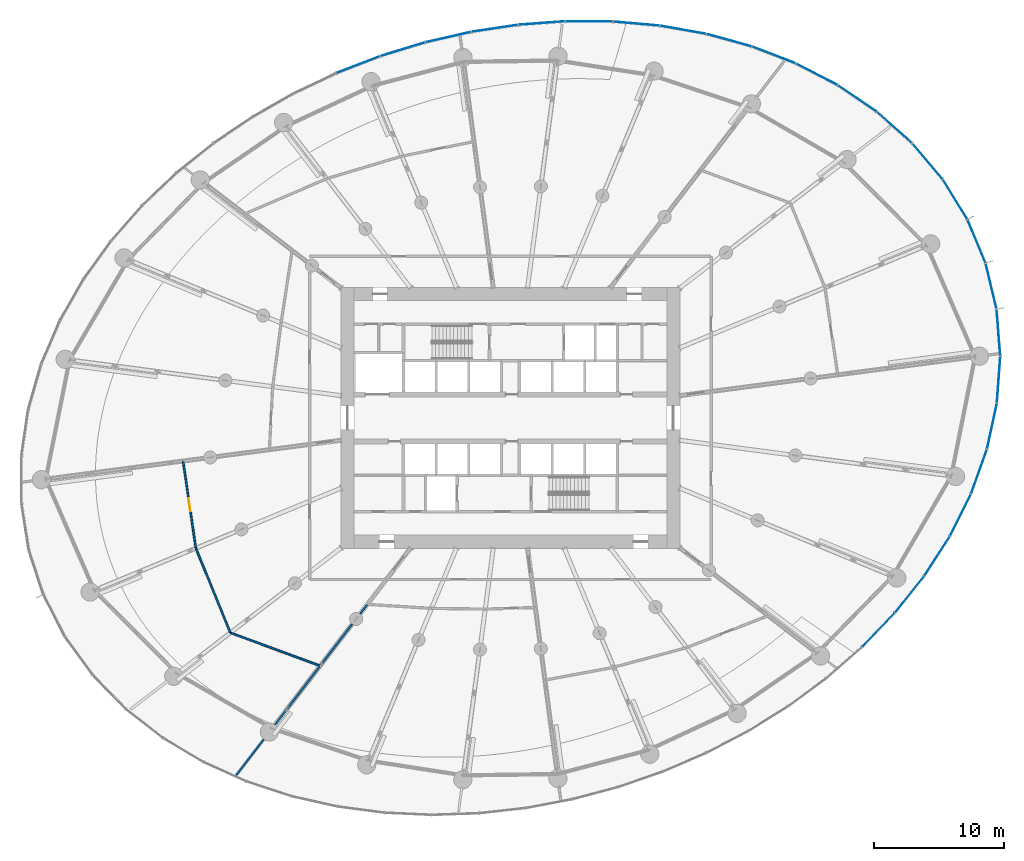
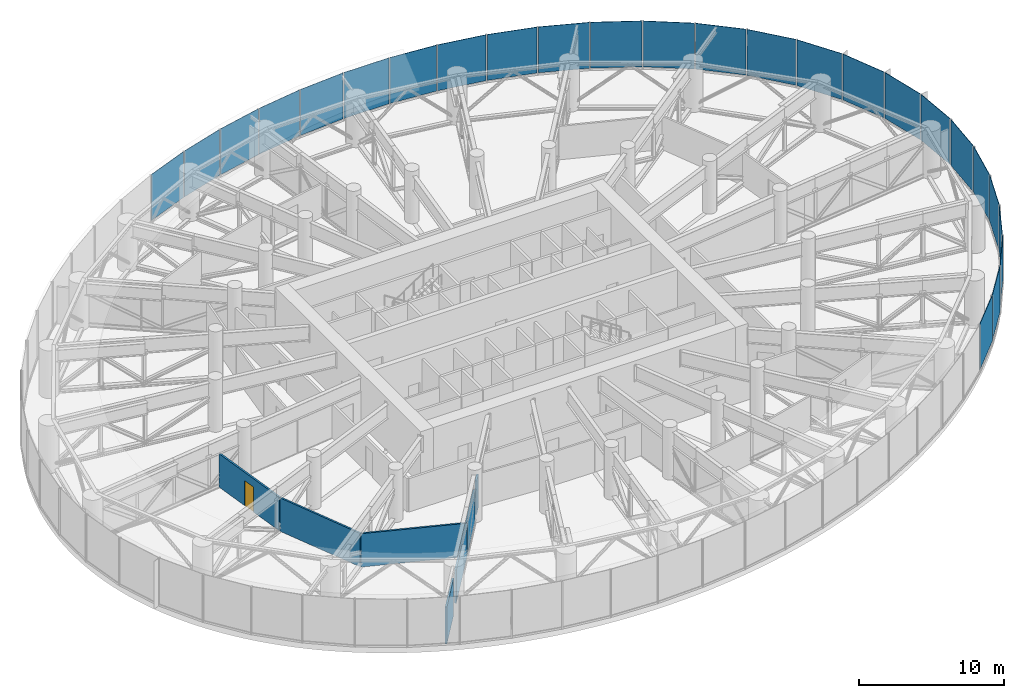
# One storey, part 20 of 42: 25 plates, 7 walls, 1 door, 1 opening, 5 elements without a shape of their own.
"""IFC4 building model written with IfcOpenShell, lengths in metres."""

from ifc_helpers import new_model, si_unit, direction, frame, frame_2d, origin, origin_2d, place, context, subcontext, project, spatial, rectangle, extrude, source, transform, mapped, material, layer, layer_set, type_object, element, fill, aggregate, save


model = new_model("IFC4")

# Units and contexts
model_context = context("Model", 3, precision=1e-05, world=origin(), true_north=direction((0.0, 1.0)))
body_context = subcontext(model_context, "Body", "Model", "MODEL_VIEW")
ifc_project = project(units=[si_unit("LENGTHUNIT", "METRE"), si_unit("AREAUNIT", "SQUARE_METRE"), si_unit("VOLUMEUNIT", "CUBIC_METRE"), si_unit("PLANEANGLEUNIT", "RADIAN"), si_unit("MASSUNIT", "GRAM", prefix="KILO")], contexts=[model_context])

# Site, building, storey
site_placement = place(None, origin())
site = spatial("IfcSite", under=ifc_project, at=site_placement, CompositionType="ELEMENT")
building_placement = place(site_placement, origin())
building = spatial("IfcBuilding", under=site, at=building_placement, Name="Spindrift Exchange Tower", CompositionType="ELEMENT")
storey_placement = place(building_placement, frame((0.0, 0.0, 75.39990234375)))
storey = spatial("IfcBuildingStorey", under=building, at=storey_placement, Name="L17", CompositionType="ELEMENT", Elevation=75.39990234375)

# Curtain wall, plates
ifc_material_1 = material(Name="Fritted laminated glass with bronze frame", Category="glass")
ifc_layer_1 = layer(ifc_material_1, 0.199951171875)
ifc_layer_set_1 = layer_set([ifc_layer_1], Name="ZONE 1 BRONZE FRITTED WALL")
curtain_wall_type = type_object("IfcCurtainWallType", Name="ZONE 1 BRONZE FRITTED WALL", PredefinedType="NOTDEFINED", material=ifc_layer_set_1)
curtain_wall_1_placement = place(storey_placement, origin())
curtain_wall_1 = element("IfcCurtainWall", 1, at=curtain_wall_1_placement, inside=storey, type_object=curtain_wall_type, Name="L17 Zone 1 Bronze Fritted Wall run 1", PredefinedType="NOTDEFINED")
ifc_material_2 = material(Name="Bronze fritted laminated glass, dense frit", Category="glass")
ifc_layer_2 = layer(ifc_material_2, 0.035888671875)
ifc_layer_set_2 = layer_set([ifc_layer_2], Name="ZONE 1 BRONZE FRITTED WALL PANEL DENSE FRIT 180")
plate_type_1 = type_object("IfcPlateType", Name="ZONE 1 BRONZE FRITTED WALL PANEL DENSE FRIT 180", PredefinedType="CURTAIN_PANEL", material=ifc_layer_set_2)
shared_shape_1 = source(origin(), body_context, "Body", "SweptSolid", [
    extrude(rectangle(XDim=3.544189453125, YDim=0.035888671875, at=origin_2d()), origin(), (0.0, 0.0, 1.0), 3.85009765625),
])
plate_1_placement = place(storey_placement, frame((87.76708984375, 61.552001953125, 0.150146484375), z_axis=(0.0, 0.0, 1.0), x_axis=(-0.384511227125, 0.923120315135, 0.0)))
plate_1 = element("IfcPlate", 2, at=plate_1_placement, type_object=plate_type_1, Name="L17 panel CW-1.1", PredefinedType="CURTAIN_PANEL", context=body_context, shape_type="MappedRepresentation", body=[
    mapped(shared_shape_1, transform((0.0, 0.0, 0.0), scale=1.0)),
])
ifc_layer_3 = layer(ifc_material_2, 0.035888671875)
ifc_layer_set_3 = layer_set([ifc_layer_3], Name="ZONE 1 BRONZE FRITTED WALL PANEL DENSE FRIT 420")
plate_type_2 = type_object("IfcPlateType", Name="ZONE 1 BRONZE FRITTED WALL PANEL DENSE FRIT 420", PredefinedType="CURTAIN_PANEL", material=ifc_layer_set_3)
shared_shape_2 = source(origin(), body_context, "Body", "SweptSolid", [
    extrude(rectangle(XDim=3.544677734375, YDim=0.035888671875, at=origin_2d()), origin(), (0.0, 0.0, 1.0), 3.85009765625),
])
plate_2_placement = place(storey_placement, frame((86.1201171875, 64.768310546875, 0.150146484375), z_axis=(0.0, 0.0, 1.0), x_axis=(-0.524164279748, 0.851617172112, 0.0)))
plate_2 = element("IfcPlate", 3, at=plate_2_placement, type_object=plate_type_2, Name="L17 panel CW-1.2", PredefinedType="CURTAIN_PANEL", context=body_context, shape_type="MappedRepresentation", body=[
    mapped(shared_shape_2, transform((0.0, 0.0, 0.0), scale=1.0)),
])
shared_shape_3 = source(origin(), body_context, "Body", "SweptSolid", [
    extrude(rectangle(XDim=3.544921875, YDim=0.035888671875, at=origin_2d()), origin(), (0.0, 0.0, 1.0), 3.85009765625),
])
plate_3_placement = place(storey_placement, frame((83.999755859375, 67.6953125, 0.150146484375), z_axis=(0.0, 0.0, 1.0), x_axis=(-0.645886836098, 0.763433163384, 0.0)))
plate_3 = element("IfcPlate", 4, at=plate_3_placement, type_object=plate_type_1, Name="L17 panel CW-1.3", PredefinedType="CURTAIN_PANEL", context=body_context, shape_type="MappedRepresentation", body=[
    mapped(shared_shape_3, transform((0.0, 0.0, 0.0), scale=1.0)),
])
shared_shape_4 = source(origin(), body_context, "Body", "SweptSolid", [
    extrude(rectangle(XDim=3.54541015625, YDim=0.035888671875, at=origin_2d()), origin(), (0.0, 0.0, 1.0), 3.85009765625),
])
plate_4_placement = place(storey_placement, frame((81.475341796875, 70.284912109375, 0.150146484375), z_axis=(0.0, 0.0, 1.0), x_axis=(-0.746698553602, 0.665162589183, 0.0)))
plate_4 = element("IfcPlate", 5, at=plate_4_placement, type_object=plate_type_2, Name="L17 panel CW-1.4", PredefinedType="CURTAIN_PANEL", context=body_context, shape_type="MappedRepresentation", body=[
    mapped(shared_shape_4, transform((0.0, 0.0, 0.0), scale=1.0)),
])

# Curtain wall, plate
curtain_wall_2_placement = place(storey_placement, origin())
curtain_wall_2 = element("IfcCurtainWall", 6, at=curtain_wall_2_placement, inside=storey, type_object=curtain_wall_type, Name="L17 Zone 1 Bronze Fritted Wall run 10", PredefinedType="NOTDEFINED")
plate_5_placement = place(storey_placement, frame((88.94580078125, 47.353759765625, 0.150146484375), z_axis=(0.0, 0.0, 1.0), x_axis=(0.211618203888, 0.977352411254, 0.0)))
plate_5 = element("IfcPlate", 7, at=plate_5_placement, type_object=plate_type_2, Name="L17 panel CW-1.56", PredefinedType="CURTAIN_PANEL", context=body_context, shape_type="MappedRepresentation", body=[
    mapped(shared_shape_4, transform((0.0, 0.0, 0.0), scale=1.0)),
])

# Plate
shared_shape_5 = source(origin(), body_context, "Body", "SweptSolid", [
    extrude(rectangle(XDim=3.5458984375, YDim=0.035888671875, at=origin_2d()), origin(), (0.0, 0.0, 1.0), 3.85009765625),
])
plate_6_placement = place(storey_placement, frame((78.623046875, 72.510498046875, 0.150146484375), z_axis=(0.0, 0.0, 1.0), x_axis=(-0.826717424237, 0.562617365945, 0.0)))
plate_6 = element("IfcPlate", 8, at=plate_6_placement, type_object=plate_type_2, Name="L17 panel CW-1.5", PredefinedType="CURTAIN_PANEL", context=body_context, shape_type="MappedRepresentation", body=[
    mapped(shared_shape_5, transform((0.0, 0.0, 0.0), scale=1.0)),
])

ifc_layer_4 = layer(ifc_material_2, 0.035888671875)
ifc_layer_set_4 = layer_set([ifc_layer_4], Name="ZONE 1 BRONZE FRITTED WALL PANEL DENSE FRIT 300")
plate_type_3 = type_object("IfcPlateType", Name="ZONE 1 BRONZE FRITTED WALL PANEL DENSE FRIT 300", PredefinedType="CURTAIN_PANEL", material=ifc_layer_set_4)
shared_shape_6 = source(origin(), body_context, "Body", "SweptSolid", [
    extrude(rectangle(XDim=3.546142578125, YDim=0.035888671875, at=origin_2d()), origin(), (0.0, 0.0, 1.0), 3.85009765625),
])
plate_7_placement = place(storey_placement, frame((75.5146484375, 74.364990234375, 0.150146484375), z_axis=(0.0, 0.0, 1.0), x_axis=(-0.887812975524, 0.460204433368, 0.0)))
plate_7 = element("IfcPlate", 9, at=plate_7_placement, type_object=plate_type_3, Name="L17 panel CW-1.6", PredefinedType="CURTAIN_PANEL", context=body_context, shape_type="MappedRepresentation", body=[
    mapped(shared_shape_6, transform((0.0, 0.0, 0.0), scale=1.0)),
])

aggregate(curtain_wall_1, [plate_1, plate_2, plate_3, plate_4, plate_6, plate_7])

# Curtain wall, plates
curtain_wall_3_placement = place(storey_placement, origin())
curtain_wall_3 = element("IfcCurtainWall", 10, at=curtain_wall_3_placement, inside=storey, type_object=curtain_wall_type, Name="L17 Zone 1 Bronze Fritted Wall run 2", PredefinedType="NOTDEFINED")
shared_shape_7 = source(origin(), body_context, "Body", "SweptSolid", [
    extrude(rectangle(XDim=3.54638671875, YDim=0.035888671875, at=origin_2d()), origin(), (0.0, 0.0, 1.0), 3.85009765625),
])
plate_8_placement = place(storey_placement, frame((72.21337890625, 75.852783203125, 0.150146484375), z_axis=(0.0, 0.0, 1.0), x_axis=(-0.932766171384, 0.360481996113, 0.0)))
plate_8 = element("IfcPlate", 11, at=plate_8_placement, type_object=plate_type_3, Name="L17 panel CW-1.7", PredefinedType="CURTAIN_PANEL", context=body_context, shape_type="MappedRepresentation", body=[
    mapped(shared_shape_7, transform((0.0, 0.0, 0.0), scale=1.0)),
])
shared_shape_8 = source(origin(), body_context, "Body", "SweptSolid", [
    extrude(rectangle(XDim=3.546875, YDim=0.035888671875, at=origin_2d()), origin(), (0.0, 0.0, 1.0), 3.85009765625),
])
plate_9_placement = place(storey_placement, frame((68.773681640625, 76.987060546875, 0.150146484375), z_axis=(0.0, 0.0, 1.0), x_axis=(-0.964280100109, 0.264884670249, 0.0)))
plate_9 = element("IfcPlate", 12, at=plate_9_placement, type_object=plate_type_2, Name="L17 panel CW-1.8", PredefinedType="CURTAIN_PANEL", context=body_context, shape_type="MappedRepresentation", body=[
    mapped(shared_shape_8, transform((0.0, 0.0, 0.0), scale=1.0)),
])
plate_10_placement = place(storey_placement, frame((65.239013671875, 77.78271484375, 0.150146484375), z_axis=(0.0, 0.0, 1.0), x_axis=(-0.984769541971, 0.173864744002, 0.0)))
plate_10 = element("IfcPlate", 13, at=plate_10_placement, type_object=plate_type_2, Name="L17 panel CW-1.9", PredefinedType="CURTAIN_PANEL", context=body_context, shape_type="MappedRepresentation", body=[
    mapped(shared_shape_8, transform((0.0, 0.0, 0.0), scale=1.0)),
])
shared_shape_9 = source(origin(), body_context, "Body", "SweptSolid", [
    extrude(rectangle(XDim=3.547119140625, YDim=0.035888671875, at=origin_2d()), origin(), (0.0, 0.0, 1.0), 3.85009765625),
])
plate_11_placement = place(storey_placement, frame((61.646484375, 78.25634765625, 0.150146484375), z_axis=(0.0, 0.0, 1.0), x_axis=(-0.996178404365, 0.087341780816, 0.0)))
plate_11 = element("IfcPlate", 14, at=plate_11_placement, type_object=plate_type_2, Name="L17 panel CW-1.10", PredefinedType="CURTAIN_PANEL", context=body_context, shape_type="MappedRepresentation", body=[
    mapped(shared_shape_9, transform((0.0, 0.0, 0.0), scale=1.0)),
])
shared_shape_10 = source(origin(), body_context, "Body", "SweptSolid", [
    extrude(rectangle(XDim=3.547119140625, YDim=0.035888671875, at=origin_2d()), origin(), (0.0, 0.0, 1.0), 3.85009765625),
])
plate_12_placement = place(storey_placement, frame((58.0263671875, 78.423828125, 0.150146484375), z_axis=(0.0, 0.0, 1.0), x_axis=(-0.999987270246, 0.005045725457, 0.0)))
plate_12 = element("IfcPlate", 15, at=plate_12_placement, type_object=plate_type_3, Name="L17 panel CW-1.11", PredefinedType="CURTAIN_PANEL", context=body_context, shape_type="MappedRepresentation", body=[
    mapped(shared_shape_10, transform((0.0, 0.0, 0.0), scale=1.0)),
])

# Curtain wall, plate
curtain_wall_4_placement = place(storey_placement, origin())
curtain_wall_4 = element("IfcCurtainWall", 16, at=curtain_wall_4_placement, inside=storey, type_object=curtain_wall_type, Name="L17 Zone 1 Bronze Fritted Wall run 9", PredefinedType="NOTDEFINED")
plate_13_placement = place(storey_placement, frame((80.24169921875, 31.730712890625, 0.150146484375), z_axis=(0.0, 0.0, 1.0), x_axis=(0.693384221684, 0.720568054468, 0.0)))
plate_13 = element("IfcPlate", 17, at=plate_13_placement, type_object=plate_type_3, Name="L17 panel CW-1.51", PredefinedType="CURTAIN_PANEL", context=body_context, shape_type="MappedRepresentation", body=[
    mapped(shared_shape_10, transform((0.0, 0.0, 0.0), scale=1.0)),
])

# Plate
shared_shape_11 = source(origin(), body_context, "Body", "SweptSolid", [
    extrude(rectangle(XDim=3.54736328125, YDim=0.035888671875, at=origin_2d()), origin(), (0.0, 0.0, 1.0), 3.85009765625),
])
plate_14_placement = place(storey_placement, frame((54.40380859375, 78.299560546875, 0.150146484375), z_axis=(0.0, 0.0, 1.0), x_axis=(-0.997289236795, -0.073581099292, 0.0)))
plate_14 = element("IfcPlate", 18, at=plate_14_placement, type_object=plate_type_3, Name="L17 panel CW-1.12", PredefinedType="CURTAIN_PANEL", context=body_context, shape_type="MappedRepresentation", body=[
    mapped(shared_shape_11, transform((0.0, 0.0, 0.0), scale=1.0)),
])

aggregate(curtain_wall_3, [plate_8, plate_9, plate_10, plate_11, plate_12, plate_14])

# Curtain wall, plates
curtain_wall_5_placement = place(storey_placement, origin())
curtain_wall_5 = element("IfcCurtainWall", 19, at=curtain_wall_5_placement, inside=storey, type_object=curtain_wall_type, Name="L17 Zone 1 Bronze Fritted Wall run 3", PredefinedType="NOTDEFINED")
shared_shape_12 = source(origin(), body_context, "Body", "SweptSolid", [
    extrude(rectangle(XDim=3.54736328125, YDim=0.035888671875, at=origin_2d()), origin(), (0.0, 0.0, 1.0), 3.85009765625),
])
plate_15_placement = place(storey_placement, frame((50.8017578125, 77.895751953125, 0.150146484375), z_axis=(0.0, 0.0, 1.0), x_axis=(-0.988831680915, -0.149036595572, 0.0)))
plate_15 = element("IfcPlate", 20, at=plate_15_placement, type_object=plate_type_2, Name="L17 panel CW-1.13", PredefinedType="CURTAIN_PANEL", context=body_context, shape_type="MappedRepresentation", body=[
    mapped(shared_shape_12, transform((0.0, 0.0, 0.0), scale=1.0)),
])
plate_16_placement = place(storey_placement, frame((43.73681640625, 76.29052734375, 0.150146484375), z_axis=(0.0, 0.0, 1.0), x_axis=(-0.956300673591, -0.292385057228, 0.0)))
plate_16 = element("IfcPlate", 21, at=plate_16_placement, type_object=plate_type_2, Name="L17 panel CW-1.15", PredefinedType="CURTAIN_PANEL", context=body_context, shape_type="MappedRepresentation", body=[
    mapped(shared_shape_12, transform((0.0, 0.0, 0.0), scale=1.0)),
])
plate_17_placement = place(storey_placement, frame((40.311279296875, 75.10498046875, 0.150146484375), z_axis=(0.0, 0.0, 1.0), x_axis=(-0.932467630492, -0.361253537123, 0.0)))
plate_17 = element("IfcPlate", 22, at=plate_17_placement, type_object=plate_type_2, Name="L17 panel CW-1.16", PredefinedType="CURTAIN_PANEL", context=body_context, shape_type="MappedRepresentation", body=[
    mapped(shared_shape_12, transform((0.0, 0.0, 0.0), scale=1.0)),
])
shared_shape_13 = source(origin(), body_context, "Body", "SweptSolid", [
    extrude(rectangle(XDim=3.547607421875, YDim=0.035888671875, at=origin_2d()), origin(), (0.0, 0.0, 1.0), 3.85009765625),
])
plate_18_placement = place(storey_placement, frame((47.239990234375, 77.22314453125, 0.150146484375), z_axis=(0.0, 0.0, 1.0), x_axis=(-0.975090158252, -0.221808889091, 0.0)))
plate_18 = element("IfcPlate", 23, at=plate_18_placement, type_object=plate_type_1, Name="L17 panel CW-1.14", PredefinedType="CURTAIN_PANEL", context=body_context, shape_type="MappedRepresentation", body=[
    mapped(shared_shape_13, transform((0.0, 0.0, 0.0), scale=1.0)),
])
aggregate(curtain_wall_5, [plate_15, plate_18, plate_16, plate_17])

# Plate
shared_shape_14 = source(origin(), body_context, "Body", "SweptSolid", [
    extrude(rectangle(XDim=3.546630859375, YDim=0.035888671875, at=origin_2d()), origin(), (0.0, 0.0, 1.0), 3.85009765625),
])
plate_19_placement = place(storey_placement, frame((82.629150390625, 34.455810546875, 0.150146484375), z_axis=(0.0, 0.0, 1.0), x_axis=(0.623208273591, 0.782055910871, 0.0)))
plate_19 = element("IfcPlate", 24, at=plate_19_placement, type_object=plate_type_1, Name="L17 panel CW-1.52", PredefinedType="CURTAIN_PANEL", context=body_context, shape_type="MappedRepresentation", body=[
    mapped(shared_shape_14, transform((0.0, 0.0, 0.0), scale=1.0)),
])

shared_shape_15 = source(origin(), body_context, "Body", "SweptSolid", [
    extrude(rectangle(XDim=3.5458984375, YDim=0.035888671875, at=origin_2d()), origin(), (0.0, 0.0, 1.0), 3.85009765625),
])
plate_20_placement = place(storey_placement, frame((87.951904296875, 43.875, 0.150146484375), z_axis=(0.0, 0.0, 1.0), x_axis=(0.336631841957, 0.941636343277, 0.0)))
plate_20 = element("IfcPlate", 25, at=plate_20_placement, type_object=plate_type_1, Name="L17 panel CW-1.55", PredefinedType="CURTAIN_PANEL", context=body_context, shape_type="MappedRepresentation", body=[
    mapped(shared_shape_15, transform((0.0, 0.0, 0.0), scale=1.0)),
])

shared_shape_16 = source(origin(), body_context, "Body", "SweptSolid", [
    extrude(rectangle(XDim=3.544921875, YDim=0.035888671875, at=origin_2d()), origin(), (0.0, 0.0, 1.0), 3.85009765625),
])
plate_21_placement = place(storey_placement, frame((89.46044921875, 50.93310546875, 0.150146484375), z_axis=(0.0, 0.0, 1.0), x_axis=(0.072249476571, 0.997386591616, 0.0)))
plate_21 = element("IfcPlate", 26, at=plate_21_placement, type_object=plate_type_2, Name="L17 panel CW-1.57", PredefinedType="CURTAIN_PANEL", context=body_context, shape_type="MappedRepresentation", body=[
    mapped(shared_shape_16, transform((0.0, 0.0, 0.0), scale=1.0)),
])

shared_shape_17 = source(origin(), body_context, "Body", "SweptSolid", [
    extrude(rectangle(XDim=3.54443359375, YDim=0.035888671875, at=origin_2d()), origin(), (0.0, 0.0, 1.0), 3.85009765625),
])
plate_22_placement = place(storey_placement, frame((88.885986328125, 58.11669921875, 0.150146484375), z_axis=(0.0, 0.0, 1.0), x_axis=(-0.233032946196, 0.972468840625, 0.0)))
plate_22 = element("IfcPlate", 27, at=plate_22_placement, type_object=plate_type_3, Name="L17 panel CW-1.59", PredefinedType="CURTAIN_PANEL", context=body_context, shape_type="MappedRepresentation", body=[
    mapped(shared_shape_17, transform((0.0, 0.0, 0.0), scale=1.0)),
])

shared_shape_18 = source(origin(), body_context, "Body", "SweptSolid", [
    extrude(rectangle(XDim=3.546142578125, YDim=0.035888671875, at=origin_2d()), origin(), (0.0, 0.0, 1.0), 3.85009765625),
])
plate_23_placement = place(storey_placement, frame((86.5322265625, 40.54541015625, 0.150146484375), z_axis=(0.0, 0.0, 1.0), x_axis=(0.446386799728, 0.894840111433, 0.0)))
plate_23 = element("IfcPlate", 28, at=plate_23_placement, type_object=plate_type_2, Name="L17 panel CW-1.54", PredefinedType="CURTAIN_PANEL", context=body_context, shape_type="MappedRepresentation", body=[
    mapped(shared_shape_18, transform((0.0, 0.0, 0.0), scale=1.0)),
])

shared_shape_19 = source(origin(), body_context, "Body", "SweptSolid", [
    extrude(rectangle(XDim=3.546630859375, YDim=0.035888671875, at=origin_2d()), origin(), (0.0, 0.0, 1.0), 3.85009765625),
])
plate_24_placement = place(storey_placement, frame((84.7412109375, 37.3984375, 0.150146484375), z_axis=(0.0, 0.0, 1.0), x_axis=(0.54144557913, 0.840735799666, 0.0)))
plate_24 = element("IfcPlate", 29, at=plate_24_placement, type_object=plate_type_3, Name="L17 panel CW-1.53", PredefinedType="CURTAIN_PANEL", context=body_context, shape_type="MappedRepresentation", body=[
    mapped(shared_shape_19, transform((0.0, 0.0, 0.0), scale=1.0)),
])

aggregate(curtain_wall_4, [plate_13, plate_19, plate_24, plate_23])

shared_shape_20 = source(origin(), body_context, "Body", "SweptSolid", [
    extrude(rectangle(XDim=3.544677734375, YDim=0.035888671875, at=origin_2d()), origin(), (0.0, 0.0, 1.0), 3.85009765625),
])
plate_25_placement = place(storey_placement, frame((89.44970703125, 54.547607421875, 0.150146484375), z_axis=(0.0, 0.0, 1.0), x_axis=(-0.078048461123, 0.996949566285, 0.0)))
plate_25 = element("IfcPlate", 30, at=plate_25_placement, type_object=plate_type_1, Name="L17 panel CW-1.58", PredefinedType="CURTAIN_PANEL", context=body_context, shape_type="MappedRepresentation", body=[
    mapped(shared_shape_20, transform((0.0, 0.0, 0.0), scale=1.0)),
])

aggregate(curtain_wall_2, [plate_20, plate_5, plate_21, plate_25, plate_22])

# Walls
ifc_material_3 = material(Name="Fire-rated plasterboard partition", Category="gypsum")
ifc_layer_5 = layer(ifc_material_3, 0.139892578125)
ifc_layer_set_5 = layer_set([ifc_layer_5], Name="W-PLANT-140")
wall_type_1 = type_object("IfcWallType", Name="W-PLANT-140", PredefinedType="PARTITIONING", material=ifc_layer_set_5)
wall_1_placement = place(storey_placement, frame((33.0791015625, 23.341552734375, 0.0), z_axis=(0.0, 0.0, 1.0), x_axis=(-0.608803527611, -0.793321035123, 0.0)))
element("IfcWall", 31, at=wall_1_placement, inside=storey, type_object=wall_type_1, Name="L17 Partition wall 115", PredefinedType="PARTITIONING", context=body_context, shape_type="SweptSolid", body=[
    extrude(rectangle(XDim=3.512939453125, YDim=0.139892578125, at=frame_2d((1.75634765625, 0.0))), origin(), (0.0, 0.0, 1.0), 3.10009765625),
])
ifc_layer_6 = layer(ifc_material_3, 0.139892578125)
ifc_layer_set_6 = layer_set([ifc_layer_6], Name="W-PLANT-140-SOFFIT")
wall_type_2 = type_object("IfcWallType", Name="W-PLANT-140-SOFFIT", PredefinedType="PARTITIONING", material=ifc_layer_set_6)
wall_2_placement = place(storey_placement, frame((30.51318359375, 31.5126953125, 0.0), z_axis=(0.0, 0.0, 1.0), x_axis=(0.938632857677, -0.344917901085, 0.0)))
element("IfcWall", 32, at=wall_2_placement, inside=storey, type_object=wall_type_2, Name="L17 Partition wall 82", PredefinedType="PARTITIONING", context=body_context, shape_type="SweptSolid", body=[
    extrude(rectangle(XDim=7.343017578125, YDim=0.139892578125, at=frame_2d((3.67138671875, 0.0))), origin(), (0.0, 0.0, 1.0), 2.800048828125),
])
wall_3_placement = place(storey_placement, frame((27.86376953125, 38.00244140625, 0.0), z_axis=(0.0, 0.0, 1.0), x_axis=(0.377966751533, -0.925819169566, 0.0)))
element("IfcWall", 33, at=wall_3_placement, inside=storey, type_object=wall_type_2, Name="L17 Partition wall 84", PredefinedType="PARTITIONING", context=body_context, shape_type="SweptSolid", body=[
    extrude(rectangle(XDim=6.97998046875, YDim=0.139892578125, at=frame_2d((3.489990234375, 0.0))), origin(), (0.0, 0.0, 1.0), 2.800048828125),
])

# Wall, opening, door
wall_4_placement = place(storey_placement, frame((27.859375, 38.031982421875, 0.0), z_axis=(0.0, 0.0, 1.0), x_axis=(-0.144720027083, 0.989472644271, 0.0)))
wall_4 = element("IfcWall", 34, at=wall_4_placement, inside=storey, type_object=wall_type_2, Name="L17 Partition wall 89", PredefinedType="PARTITIONING", context=body_context, shape_type="SweptSolid", body=[
    extrude(rectangle(XDim=6.702392578125, YDim=0.139892578125, at=frame_2d((3.35107421875, 0.0))), origin(), (0.0, 0.0, 1.0), 2.800048828125),
])
opening_placement = place(wall_4_placement, frame((2.852294921875, 0.0, 0.0)))
opening = element("IfcOpeningElement", 35, at=opening_placement, cuts=wall_4, Name="Opening L17-D26", PredefinedType="OPENING", context=body_context, shape_type="SweptSolid", body=[
    extrude(rectangle(XDim=1.0, YDim=2.10009765625, at=frame_2d((0.5, 1.050048828125))), frame((0.0, 0.079833984375, 0.0), z_axis=(0.0, -1.0, 0.0), x_axis=(1.0, 0.0, 0.0)), (0.0, 0.0, 1.0), 0.159912109375),
])
ifc_material_4 = material(Name="Timber-core fire door", Category="wood")
door_type = type_object("IfcDoorType", Name="DR-ROOM-1000", OperationType="NOTDEFINED", PredefinedType="DOOR", material=ifc_material_4)
shared_shape_21 = source(origin(), body_context, "Body", "SweptSolid", [
    extrude(rectangle(XDim=1.0, YDim=2.10009765625, at=frame_2d((0.5, 1.050048828125))), frame((0.0, 0.02490234375, 0.0), z_axis=(0.0, -1.0, 0.0), x_axis=(1.0, 0.0, 0.0)), (0.0, 0.0, 1.0), 0.050048828125),
])
door_placement = place(opening_placement, origin())
door = element("IfcDoor", 36, at=door_placement, inside=storey, type_object=door_type, Name="L17 Door 26", OperationType="SINGLE_SWING_LEFT", OverallHeight=2.10009765625, OverallWidth=1.0, PredefinedType="DOOR", context=body_context, shape_type="MappedRepresentation", body=[
    mapped(shared_shape_21, transform((0.0, 0.0, 0.0), scale=1.0)),
])
fill(opening, door)

# Walls
wall_5_placement = place(storey_placement, frame((37.36083984375, 28.921875, 0.0), z_axis=(0.0, 0.0, 1.0), x_axis=(-0.608768603858, -0.793347834784, 0.0)))
element("IfcWall", 37, at=wall_5_placement, inside=storey, type_object=wall_type_2, Name="L17 Partition wall 95", PredefinedType="PARTITIONING", context=body_context, shape_type="SweptSolid", body=[
    extrude(rectangle(XDim=5.62548828125, YDim=0.139892578125, at=frame_2d((2.812744140625, 0.0))), origin(), (0.0, 0.0, 1.0), 2.800048828125),
])
wall_6_placement = place(storey_placement, frame((39.85791015625, 32.176025390625, 0.0), z_axis=(0.0, 0.0, 1.0), x_axis=(-0.608766057901, -0.793349788396, 0.0)))
element("IfcWall", 38, at=wall_6_placement, inside=storey, type_object=wall_type_2, Name="L17 Partition wall 108", PredefinedType="PARTITIONING", context=body_context, shape_type="SweptSolid", body=[
    extrude(rectangle(XDim=3.998291015625, YDim=0.139892578125, at=frame_2d((1.9990234375, 0.0))), origin(), (0.0, 0.0, 1.0), 2.800048828125),
])
wall_7_placement = place(storey_placement, frame((41.004150390625, 33.669921875, 0.0), z_axis=(0.0, 0.0, 1.0), x_axis=(-0.60876565208, -0.793350099797, 0.0)))
element("IfcWall", 39, at=wall_7_placement, inside=storey, type_object=wall_type_2, Name="L17 Partition wall 132", PredefinedType="PARTITIONING", context=body_context, shape_type="SweptSolid", body=[
    extrude(rectangle(XDim=0.874267578125, YDim=0.139892578125, at=frame_2d((0.43701171875, 0.0))), origin(), (0.0, 0.0, 1.0), 2.800048828125),
])

save(model, "model.ifc")
